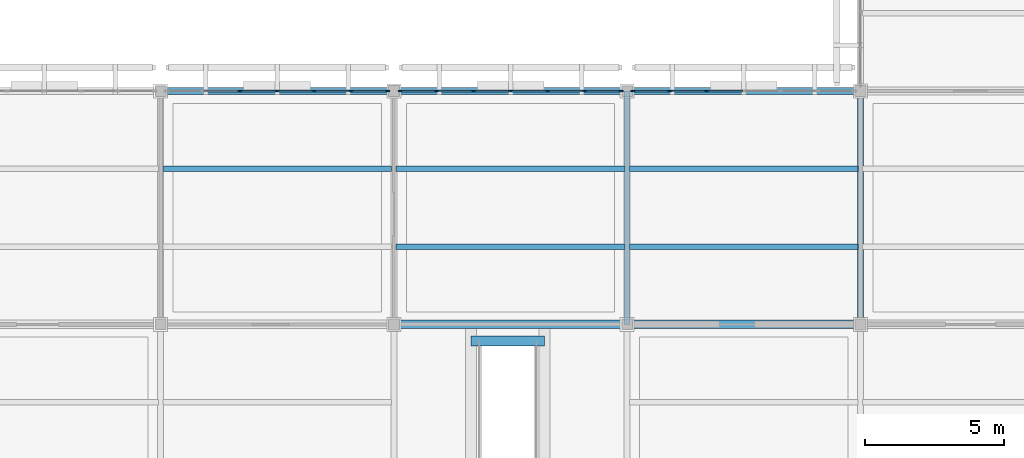
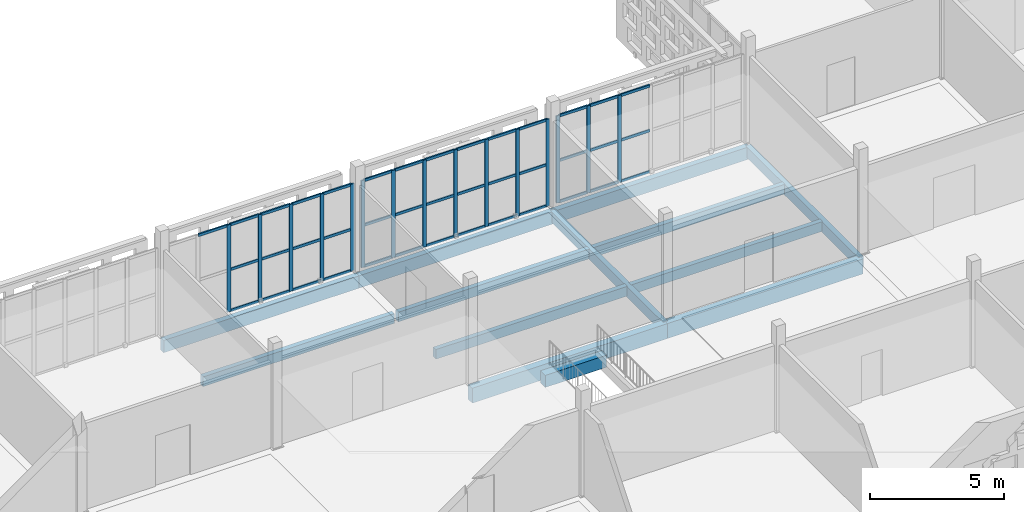
# One storey, part 37 of 203: 55 members, 13 beams, 3 elements without a shape of their own.
"""IFC4 building model written with IfcOpenShell, lengths in metres."""

from ifc_helpers import new_model, si_unit, direction, frame, origin, origin_2d, place, context, subcontext, project, spatial, rectangle, extrude, material, layer, layer_set, material_profile, profile_set, type_object, element, aggregate, save


model = new_model("IFC4")

# Units and contexts
model_context = context("Model", 3, precision=1e-05, world=origin(), true_north=direction((0.0, 1.0)))
body_context = subcontext(model_context, "Body", "Model", "MODEL_VIEW")
ifc_project = project(units=[si_unit("LENGTHUNIT", "METRE"), si_unit("AREAUNIT", "SQUARE_METRE"), si_unit("VOLUMEUNIT", "CUBIC_METRE"), si_unit("PLANEANGLEUNIT", "RADIAN"), si_unit("MASSUNIT", "GRAM", prefix="KILO")], contexts=[model_context])

# Site, building, storey
site_placement = place(None, origin())
site = spatial("IfcSite", under=ifc_project, at=site_placement, CompositionType="ELEMENT")
building_placement = place(site_placement, origin())
building = spatial("IfcBuilding", under=site, at=building_placement, Name="Varnapada Polytechnic", CompositionType="ELEMENT")
storey_placement = place(building_placement, frame((0.0, 0.0, 4.800048828125)))
storey = spatial("IfcBuildingStorey", under=building, at=storey_placement, Name="L01", CompositionType="ELEMENT", Elevation=4.800048828125)

# Beams
ifc_material_1 = material(Name="Concrete C40/50", Category="concrete")
ifc_material_profile_1 = material_profile(ifc_material_1, rectangle(XDim=0.35009765625, YDim=0.550048828125, at=origin_2d()), Name="RC 350x550")
ifc_profile_set_1 = profile_set([ifc_material_profile_1], Name="Concrete C40/50")
beam_type_1 = type_object("IfcBeamType", Name="Concrete podium spandrel beam SP-01 (RC 350x550)", PredefinedType="SPANDREL", material=ifc_profile_set_1)
beam_1_placement = place(storey_placement, frame((111.97998046875, 33.0, -0.53515625), z_axis=(1.0, 0.0, 0.0), x_axis=(0.0, 1.0, 0.0)))
element("IfcBeam", 1, at=beam_1_placement, inside=storey, type_object=beam_type_1, Name="L01 feature stair ST-F6 arrival beam", PredefinedType="SPANDREL", context=body_context, shape_type="SweptSolid", body=[
    extrude(rectangle(XDim=0.35009765625, YDim=0.550048828125, at=origin_2d()), origin(), (0.0, 0.0, 1.0), 2.64013671875),
])
ifc_material_2 = material(Name="Glulam GL32h", Category="wood")
ifc_material_profile_2 = material_profile(ifc_material_2, rectangle(XDim=0.199951171875, YDim=0.43994140625, at=origin_2d()), Name="GL 200x440")
ifc_profile_set_2 = profile_set([ifc_material_profile_2], Name="Glulam GL32h")
beam_type_2 = type_object("IfcBeamType", Name="Heavy laboratory glulam joist GJ-03 (GL 200x440)", PredefinedType="JOIST", material=ifc_profile_set_2)
beam_2_placement = place(storey_placement, frame((100.8798828125, 39.199951171875, -0.469970703125), z_axis=(1.0, 0.0, 0.0), x_axis=(0.0, 1.0, 0.0)))
element("IfcBeam", 2, at=beam_2_placement, inside=storey, type_object=beam_type_2, Name="L01 floor joist 13/5.2", PredefinedType="JOIST", context=body_context, shape_type="SweptSolid", body=[
    extrude(rectangle(XDim=0.199951171875, YDim=0.43994140625, at=origin_2d()), origin(), (0.0, 0.0, 1.0), 8.240234375),
])
for number, where, z_axis, x_axis, name in (
    (3, (109.280029296875, 36.39990234375, -0.469970703125), (1.0, 0.0, 0.0), (0.0, 1.0, 0.0), "L01 floor joist 14/5.1"),
    (4, (109.280029296875, 39.199951171875, -0.469970703125), (1.0, 0.0, 0.0), (0.0, 1.0, 0.0), "L01 floor joist 14/5.2"),
    (5, (117.679931640625, 36.39990234375, -0.469970703125), (1.0, 0.0, 0.0), (0.0, 1.0, 0.0), "L01 floor joist 15/5.1"),
    (6, (117.679931640625, 39.199951171875, -0.469970703125), (1.0, 0.0, 0.0), (0.0, 1.0, 0.0), "L01 floor joist 15/5.2"),
):
    element("IfcBeam", number, at=place(storey_placement, frame(where, z_axis=z_axis, x_axis=x_axis)), inside=storey, type_object=beam_type_2, Name=name, PredefinedType="JOIST", context=body_context, shape_type="SweptSolid", body=[
        extrude(rectangle(XDim=0.199951171875, YDim=0.43994140625, at=origin_2d()), origin(), (0.0, 0.0, 1.0), 8.239990234375),
    ])

# Curtain wall, members
ifc_material_3 = material(Name="Double low-E laminated glass", Category="glass")
ifc_layer = layer(ifc_material_3, 0.159912109375)
ifc_layer_set = layer_set([ifc_layer], Name="Double low-E laminated glass")
curtain_wall_type = type_object("IfcCurtainWallType", Name="Curtain Wall CW-01", PredefinedType="NOTDEFINED", material=ifc_layer_set)
curtain_wall_1_placement = place(storey_placement, origin())
curtain_wall_1 = element("IfcCurtainWall", 7, at=curtain_wall_1_placement, inside=storey, type_object=curtain_wall_type, Name="L01 unitised curtain wall CW-01 (79)", PredefinedType="NOTDEFINED")
ifc_material_4 = material(Name="Anodised aluminium", Category="aluminium")
ifc_material_profile_3 = material_profile(ifc_material_4, rectangle(XDim=0.06005859375, YDim=0.159912109375, at=origin_2d()), Name="ALU M60x160")
ifc_profile_set_3 = profile_set([ifc_material_profile_3], Name="Anodised aluminium")
member_type_1 = type_object("IfcMemberType", Name="Mullion M-01", PredefinedType="MULLION", material=ifc_profile_set_3)
member_1_placement = place(storey_placement, frame((103.659912109375, 42.0, 0.0), z_axis=(0.0, 0.0, 1.0), x_axis=(0.0, 1.0, 0.0)))
member_1 = element("IfcMember", 8, at=member_1_placement, type_object=member_type_1, Name="CW-01 mullion 3", PredefinedType="MULLION", context=body_context, shape_type="SweptSolid", body=[
    extrude(rectangle(XDim=0.06005859375, YDim=0.159912109375, at=origin_2d()), origin(), (0.0, 0.0, 1.0), 3.9599609375),
])
member_2_placement = place(storey_placement, frame((104.9951171875, 42.0, 0.0), z_axis=(0.0, 0.0, 1.0), x_axis=(0.0, 1.0, 0.0)))
member_2 = element("IfcMember", 9, at=member_2_placement, type_object=member_type_1, Name="CW-01 mullion 4", PredefinedType="MULLION", context=body_context, shape_type="SweptSolid", body=[
    extrude(rectangle(XDim=0.06005859375, YDim=0.159912109375, at=origin_2d()), origin(), (0.0, 0.0, 1.0), 3.9599609375),
])
member_3_placement = place(storey_placement, frame((106.330078125, 42.0, 0.0), z_axis=(0.0, 0.0, 1.0), x_axis=(0.0, 1.0, 0.0)))
member_3 = element("IfcMember", 10, at=member_3_placement, type_object=member_type_1, Name="CW-01 mullion 5", PredefinedType="MULLION", context=body_context, shape_type="SweptSolid", body=[
    extrude(rectangle(XDim=0.06005859375, YDim=0.159912109375, at=origin_2d()), origin(), (0.0, 0.0, 1.0), 3.9599609375),
])
member_4_placement = place(storey_placement, frame((107.6650390625, 42.0, 0.0), z_axis=(0.0, 0.0, 1.0), x_axis=(0.0, 1.0, 0.0)))
member_4 = element("IfcMember", 11, at=member_4_placement, type_object=member_type_1, Name="CW-01 mullion 6", PredefinedType="MULLION", context=body_context, shape_type="SweptSolid", body=[
    extrude(rectangle(XDim=0.06005859375, YDim=0.159912109375, at=origin_2d()), origin(), (0.0, 0.0, 1.0), 3.9599609375),
])
member_5_placement = place(storey_placement, frame((108.969970703125, 42.0, 0.0), z_axis=(0.0, 0.0, 1.0), x_axis=(0.0, 1.0, 0.0)))
member_5 = element("IfcMember", 12, at=member_5_placement, type_object=member_type_1, Name="CW-01 mullion 7", PredefinedType="MULLION", context=body_context, shape_type="SweptSolid", body=[
    extrude(rectangle(XDim=0.06005859375, YDim=0.159912109375, at=origin_2d()), origin(), (0.0, 0.0, 1.0), 3.9599609375),
])

curtain_wall_2_placement = place(storey_placement, origin())
curtain_wall_2 = element("IfcCurtainWall", 13, at=curtain_wall_2_placement, inside=storey, type_object=curtain_wall_type, Name="L01 unitised curtain wall CW-01 (84)", PredefinedType="NOTDEFINED")
member_6_placement = place(storey_placement, frame((109.429931640625, 42.0, 0.0), z_axis=(0.0, 0.0, 1.0), x_axis=(0.0, 1.0, 0.0)))
member_6 = element("IfcMember", 14, at=member_6_placement, type_object=member_type_1, Name="CW-01 mullion 1", PredefinedType="MULLION", context=body_context, shape_type="SweptSolid", body=[
    extrude(rectangle(XDim=0.06005859375, YDim=0.159912109375, at=origin_2d()), origin(), (0.0, 0.0, 1.0), 3.9599609375),
])
member_7_placement = place(storey_placement, frame((110.735107421875, 42.0, 0.0), z_axis=(0.0, 0.0, 1.0), x_axis=(0.0, 1.0, 0.0)))
member_7 = element("IfcMember", 15, at=member_7_placement, type_object=member_type_1, Name="CW-01 mullion 2", PredefinedType="MULLION", context=body_context, shape_type="SweptSolid", body=[
    extrude(rectangle(XDim=0.06005859375, YDim=0.159912109375, at=origin_2d()), origin(), (0.0, 0.0, 1.0), 3.9599609375),
])
member_8_placement = place(storey_placement, frame((112.070068359375, 42.0, 0.0), z_axis=(0.0, 0.0, 1.0), x_axis=(0.0, 1.0, 0.0)))
member_8 = element("IfcMember", 16, at=member_8_placement, type_object=member_type_1, Name="CW-01 mullion 3", PredefinedType="MULLION", context=body_context, shape_type="SweptSolid", body=[
    extrude(rectangle(XDim=0.06005859375, YDim=0.159912109375, at=origin_2d()), origin(), (0.0, 0.0, 1.0), 3.9599609375),
])
member_9_placement = place(storey_placement, frame((113.405029296875, 42.0, 0.0), z_axis=(0.0, 0.0, 1.0), x_axis=(0.0, 1.0, 0.0)))
member_9 = element("IfcMember", 17, at=member_9_placement, type_object=member_type_1, Name="CW-01 mullion 4", PredefinedType="MULLION", context=body_context, shape_type="SweptSolid", body=[
    extrude(rectangle(XDim=0.06005859375, YDim=0.159912109375, at=origin_2d()), origin(), (0.0, 0.0, 1.0), 3.9599609375),
])
member_10_placement = place(storey_placement, frame((114.739990234375, 42.0, 0.0), z_axis=(0.0, 0.0, 1.0), x_axis=(0.0, 1.0, 0.0)))
member_10 = element("IfcMember", 18, at=member_10_placement, type_object=member_type_1, Name="CW-01 mullion 5", PredefinedType="MULLION", context=body_context, shape_type="SweptSolid", body=[
    extrude(rectangle(XDim=0.06005859375, YDim=0.159912109375, at=origin_2d()), origin(), (0.0, 0.0, 1.0), 3.9599609375),
])
member_11_placement = place(storey_placement, frame((116.074951171875, 42.0, 0.0), z_axis=(0.0, 0.0, 1.0), x_axis=(0.0, 1.0, 0.0)))
member_11 = element("IfcMember", 19, at=member_11_placement, type_object=member_type_1, Name="CW-01 mullion 6", PredefinedType="MULLION", context=body_context, shape_type="SweptSolid", body=[
    extrude(rectangle(XDim=0.06005859375, YDim=0.159912109375, at=origin_2d()), origin(), (0.0, 0.0, 1.0), 3.9599609375),
])
member_12_placement = place(storey_placement, frame((117.3798828125, 42.0, 0.0), z_axis=(0.0, 0.0, 1.0), x_axis=(0.0, 1.0, 0.0)))
member_12 = element("IfcMember", 20, at=member_12_placement, type_object=member_type_1, Name="CW-01 mullion 7", PredefinedType="MULLION", context=body_context, shape_type="SweptSolid", body=[
    extrude(rectangle(XDim=0.06005859375, YDim=0.159912109375, at=origin_2d()), origin(), (0.0, 0.0, 1.0), 3.9599609375),
])

curtain_wall_3_placement = place(storey_placement, origin())
curtain_wall_3 = element("IfcCurtainWall", 21, at=curtain_wall_3_placement, inside=storey, type_object=curtain_wall_type, Name="L01 unitised curtain wall CW-01 (89)", PredefinedType="NOTDEFINED")
member_13_placement = place(storey_placement, frame((117.820068359375, 42.0, 0.0), z_axis=(0.0, 0.0, 1.0), x_axis=(0.0, 1.0, 0.0)))
member_13 = element("IfcMember", 22, at=member_13_placement, type_object=member_type_1, Name="CW-01 mullion 1", PredefinedType="MULLION", context=body_context, shape_type="SweptSolid", body=[
    extrude(rectangle(XDim=0.06005859375, YDim=0.159912109375, at=origin_2d()), origin(), (0.0, 0.0, 1.0), 3.9599609375),
])
member_14_placement = place(storey_placement, frame((119.125, 42.0, 0.0), z_axis=(0.0, 0.0, 1.0), x_axis=(0.0, 1.0, 0.0)))
member_14 = element("IfcMember", 23, at=member_14_placement, type_object=member_type_1, Name="CW-01 mullion 2", PredefinedType="MULLION", context=body_context, shape_type="SweptSolid", body=[
    extrude(rectangle(XDim=0.06005859375, YDim=0.159912109375, at=origin_2d()), origin(), (0.0, 0.0, 1.0), 3.9599609375),
])
member_15_placement = place(storey_placement, frame((120.4599609375, 42.0, 0.0), z_axis=(0.0, 0.0, 1.0), x_axis=(0.0, 1.0, 0.0)))
member_15 = element("IfcMember", 24, at=member_15_placement, type_object=member_type_1, Name="CW-01 mullion 3", PredefinedType="MULLION", context=body_context, shape_type="SweptSolid", body=[
    extrude(rectangle(XDim=0.06005859375, YDim=0.159912109375, at=origin_2d()), origin(), (0.0, 0.0, 1.0), 3.9599609375),
])

# Beams
ifc_material_profile_4 = material_profile(ifc_material_2, rectangle(XDim=0.239990234375, YDim=0.56005859375, at=origin_2d()), Name="GL 240x560")
ifc_profile_set_4 = profile_set([ifc_material_profile_4], Name="Glulam GL32h")
beam_type_3 = type_object("IfcBeamType", Name="Perimeter glulam spandrel beam SP-02 (GL 240x560)", PredefinedType="SPANDREL", material=ifc_profile_set_4)
beam_3_placement = place(storey_placement, frame((100.800048828125, 42.0, -0.530029296875), z_axis=(1.0, 0.0, 0.0), x_axis=(0.0, 1.0, 0.0)))
element("IfcBeam", 25, at=beam_3_placement, inside=storey, type_object=beam_type_3, Name="L01 beam X 13-14 at Y6", PredefinedType="SPANDREL", context=body_context, shape_type="SweptSolid", body=[
    extrude(rectangle(XDim=0.239990234375, YDim=0.56005859375, at=origin_2d()), origin(), (0.0, 0.0, 1.0), 8.39990234375),
])
beam_4_placement = place(storey_placement, frame((109.199951171875, 42.0, -0.530029296875), z_axis=(1.0, 0.0, 0.0), x_axis=(0.0, 1.0, 0.0)))
element("IfcBeam", 26, at=beam_4_placement, inside=storey, type_object=beam_type_3, Name="L01 beam X 14-15 at Y6", PredefinedType="SPANDREL", context=body_context, shape_type="SweptSolid", body=[
    extrude(rectangle(XDim=0.239990234375, YDim=0.56005859375, at=origin_2d()), origin(), (0.0, 0.0, 1.0), 8.400146484375),
])
beam_5_placement = place(storey_placement, frame((117.60009765625, 42.0, -0.530029296875), z_axis=(1.0, 0.0, 0.0), x_axis=(0.0, 1.0, 0.0)))
element("IfcBeam", 27, at=beam_5_placement, inside=storey, type_object=beam_type_3, Name="L01 beam X 15-16 at Y6", PredefinedType="SPANDREL", context=body_context, shape_type="SweptSolid", body=[
    extrude(rectangle(XDim=0.239990234375, YDim=0.56005859375, at=origin_2d()), origin(), (0.0, 0.0, 1.0), 8.39990234375),
])

# Member
ifc_material_profile_5 = material_profile(ifc_material_4, rectangle(XDim=0.06005859375, YDim=0.1201171875, at=origin_2d()), Name="ALU T60x120")
ifc_profile_set_5 = profile_set([ifc_material_profile_5], Name="Anodised aluminium")
member_type_2 = type_object("IfcMemberType", Name="Transom T-01", PredefinedType="USERDEFINED", material=ifc_profile_set_5)
member_16_placement = place(storey_placement, frame((102.35498046875, 42.0, 3.929931640625), z_axis=(1.0, 0.0, 0.0), x_axis=(0.0, 1.0, 0.0)))
member_16 = element("IfcMember", 28, at=member_16_placement, type_object=member_type_2, Name="CW-01 transom 2.3", ObjectType="TRANSOM", PredefinedType="USERDEFINED", context=body_context, shape_type="SweptSolid", body=[
    extrude(rectangle(XDim=0.06005859375, YDim=0.1201171875, at=origin_2d()), origin(), (0.0, 0.0, 1.0), 1.27490234375),
])

member_17_placement = place(storey_placement, frame((103.68994140625, 42.0, 0.030029296875), z_axis=(1.0, 0.0, 0.0), x_axis=(0.0, 1.0, 0.0)))
member_17 = element("IfcMember", 29, at=member_17_placement, type_object=member_type_2, Name="CW-01 transom 3.1", ObjectType="TRANSOM", PredefinedType="USERDEFINED", context=body_context, shape_type="SweptSolid", body=[
    extrude(rectangle(XDim=0.06005859375, YDim=0.1201171875, at=origin_2d()), origin(), (0.0, 0.0, 1.0), 1.275146484375),
])

member_18_placement = place(storey_placement, frame((103.68994140625, 42.0, 1.900634765625), z_axis=(1.0, 0.0, 0.0), x_axis=(0.0, 1.0, 0.0)))
member_18 = element("IfcMember", 30, at=member_18_placement, type_object=member_type_2, Name="CW-01 transom 3.2", ObjectType="TRANSOM", PredefinedType="USERDEFINED", context=body_context, shape_type="SweptSolid", body=[
    extrude(rectangle(XDim=0.06005859375, YDim=0.1201171875, at=origin_2d()), origin(), (0.0, 0.0, 1.0), 1.275146484375),
])

member_19_placement = place(storey_placement, frame((103.68994140625, 42.0, 3.929931640625), z_axis=(1.0, 0.0, 0.0), x_axis=(0.0, 1.0, 0.0)))
member_19 = element("IfcMember", 31, at=member_19_placement, type_object=member_type_2, Name="CW-01 transom 3.3", ObjectType="TRANSOM", PredefinedType="USERDEFINED", context=body_context, shape_type="SweptSolid", body=[
    extrude(rectangle(XDim=0.06005859375, YDim=0.1201171875, at=origin_2d()), origin(), (0.0, 0.0, 1.0), 1.275146484375),
])

member_20_placement = place(storey_placement, frame((105.02490234375, 42.0, 0.030029296875), z_axis=(1.0, 0.0, 0.0), x_axis=(0.0, 1.0, 0.0)))
member_20 = element("IfcMember", 32, at=member_20_placement, type_object=member_type_2, Name="CW-01 transom 4.1", ObjectType="TRANSOM", PredefinedType="USERDEFINED", context=body_context, shape_type="SweptSolid", body=[
    extrude(rectangle(XDim=0.06005859375, YDim=0.1201171875, at=origin_2d()), origin(), (0.0, 0.0, 1.0), 1.275146484375),
])

member_21_placement = place(storey_placement, frame((105.02490234375, 42.0, 1.900634765625), z_axis=(1.0, 0.0, 0.0), x_axis=(0.0, 1.0, 0.0)))
member_21 = element("IfcMember", 33, at=member_21_placement, type_object=member_type_2, Name="CW-01 transom 4.2", ObjectType="TRANSOM", PredefinedType="USERDEFINED", context=body_context, shape_type="SweptSolid", body=[
    extrude(rectangle(XDim=0.06005859375, YDim=0.1201171875, at=origin_2d()), origin(), (0.0, 0.0, 1.0), 1.275146484375),
])

member_22_placement = place(storey_placement, frame((105.02490234375, 42.0, 3.929931640625), z_axis=(1.0, 0.0, 0.0), x_axis=(0.0, 1.0, 0.0)))
member_22 = element("IfcMember", 34, at=member_22_placement, type_object=member_type_2, Name="CW-01 transom 4.3", ObjectType="TRANSOM", PredefinedType="USERDEFINED", context=body_context, shape_type="SweptSolid", body=[
    extrude(rectangle(XDim=0.06005859375, YDim=0.1201171875, at=origin_2d()), origin(), (0.0, 0.0, 1.0), 1.275146484375),
])

member_23_placement = place(storey_placement, frame((106.360107421875, 42.0, 0.030029296875), z_axis=(1.0, 0.0, 0.0), x_axis=(0.0, 1.0, 0.0)))
member_23 = element("IfcMember", 35, at=member_23_placement, type_object=member_type_2, Name="CW-01 transom 5.1", ObjectType="TRANSOM", PredefinedType="USERDEFINED", context=body_context, shape_type="SweptSolid", body=[
    extrude(rectangle(XDim=0.06005859375, YDim=0.1201171875, at=origin_2d()), origin(), (0.0, 0.0, 1.0), 1.27490234375),
])

member_24_placement = place(storey_placement, frame((106.360107421875, 42.0, 1.900634765625), z_axis=(1.0, 0.0, 0.0), x_axis=(0.0, 1.0, 0.0)))
member_24 = element("IfcMember", 36, at=member_24_placement, type_object=member_type_2, Name="CW-01 transom 5.2", ObjectType="TRANSOM", PredefinedType="USERDEFINED", context=body_context, shape_type="SweptSolid", body=[
    extrude(rectangle(XDim=0.06005859375, YDim=0.1201171875, at=origin_2d()), origin(), (0.0, 0.0, 1.0), 1.27490234375),
])

member_25_placement = place(storey_placement, frame((106.360107421875, 42.0, 3.929931640625), z_axis=(1.0, 0.0, 0.0), x_axis=(0.0, 1.0, 0.0)))
member_25 = element("IfcMember", 37, at=member_25_placement, type_object=member_type_2, Name="CW-01 transom 5.3", ObjectType="TRANSOM", PredefinedType="USERDEFINED", context=body_context, shape_type="SweptSolid", body=[
    extrude(rectangle(XDim=0.06005859375, YDim=0.1201171875, at=origin_2d()), origin(), (0.0, 0.0, 1.0), 1.27490234375),
])

member_26_placement = place(storey_placement, frame((107.695068359375, 42.0, 0.030029296875), z_axis=(1.0, 0.0, 0.0), x_axis=(0.0, 1.0, 0.0)))
member_26 = element("IfcMember", 38, at=member_26_placement, type_object=member_type_2, Name="CW-01 transom 6.1", ObjectType="TRANSOM", PredefinedType="USERDEFINED", context=body_context, shape_type="SweptSolid", body=[
    extrude(rectangle(XDim=0.06005859375, YDim=0.1201171875, at=origin_2d()), origin(), (0.0, 0.0, 1.0), 1.244873046875),
])

member_27_placement = place(storey_placement, frame((107.695068359375, 42.0, 1.900634765625), z_axis=(1.0, 0.0, 0.0), x_axis=(0.0, 1.0, 0.0)))
member_27 = element("IfcMember", 39, at=member_27_placement, type_object=member_type_2, Name="CW-01 transom 6.2", ObjectType="TRANSOM", PredefinedType="USERDEFINED", context=body_context, shape_type="SweptSolid", body=[
    extrude(rectangle(XDim=0.06005859375, YDim=0.1201171875, at=origin_2d()), origin(), (0.0, 0.0, 1.0), 1.244873046875),
])

member_28_placement = place(storey_placement, frame((107.695068359375, 42.0, 3.929931640625), z_axis=(1.0, 0.0, 0.0), x_axis=(0.0, 1.0, 0.0)))
member_28 = element("IfcMember", 40, at=member_28_placement, type_object=member_type_2, Name="CW-01 transom 6.3", ObjectType="TRANSOM", PredefinedType="USERDEFINED", context=body_context, shape_type="SweptSolid", body=[
    extrude(rectangle(XDim=0.06005859375, YDim=0.1201171875, at=origin_2d()), origin(), (0.0, 0.0, 1.0), 1.244873046875),
])

aggregate(curtain_wall_1, [member_1, member_2, member_3, member_4, member_5, member_16, member_17, member_18, member_19, member_20, member_21, member_22, member_23, member_24, member_25, member_26, member_27, member_28])

member_29_placement = place(storey_placement, frame((109.4599609375, 42.0, 0.030029296875), z_axis=(1.0, 0.0, 0.0), x_axis=(0.0, 1.0, 0.0)))
member_29 = element("IfcMember", 41, at=member_29_placement, type_object=member_type_2, Name="CW-01 transom 1.1", ObjectType="TRANSOM", PredefinedType="USERDEFINED", context=body_context, shape_type="SweptSolid", body=[
    extrude(rectangle(XDim=0.06005859375, YDim=0.1201171875, at=origin_2d()), origin(), (0.0, 0.0, 1.0), 1.2451171875),
])

member_30_placement = place(storey_placement, frame((109.4599609375, 42.0, 1.900634765625), z_axis=(1.0, 0.0, 0.0), x_axis=(0.0, 1.0, 0.0)))
member_30 = element("IfcMember", 42, at=member_30_placement, type_object=member_type_2, Name="CW-01 transom 1.2", ObjectType="TRANSOM", PredefinedType="USERDEFINED", context=body_context, shape_type="SweptSolid", body=[
    extrude(rectangle(XDim=0.06005859375, YDim=0.1201171875, at=origin_2d()), origin(), (0.0, 0.0, 1.0), 1.2451171875),
])

member_31_placement = place(storey_placement, frame((109.4599609375, 42.0, 3.929931640625), z_axis=(1.0, 0.0, 0.0), x_axis=(0.0, 1.0, 0.0)))
member_31 = element("IfcMember", 43, at=member_31_placement, type_object=member_type_2, Name="CW-01 transom 1.3", ObjectType="TRANSOM", PredefinedType="USERDEFINED", context=body_context, shape_type="SweptSolid", body=[
    extrude(rectangle(XDim=0.06005859375, YDim=0.1201171875, at=origin_2d()), origin(), (0.0, 0.0, 1.0), 1.2451171875),
])

member_32_placement = place(storey_placement, frame((110.764892578125, 42.0, 0.030029296875), z_axis=(1.0, 0.0, 0.0), x_axis=(0.0, 1.0, 0.0)))
member_32 = element("IfcMember", 44, at=member_32_placement, type_object=member_type_2, Name="CW-01 transom 2.1", ObjectType="TRANSOM", PredefinedType="USERDEFINED", context=body_context, shape_type="SweptSolid", body=[
    extrude(rectangle(XDim=0.06005859375, YDim=0.1201171875, at=origin_2d()), origin(), (0.0, 0.0, 1.0), 1.275146484375),
])

member_33_placement = place(storey_placement, frame((110.764892578125, 42.0, 1.900634765625), z_axis=(1.0, 0.0, 0.0), x_axis=(0.0, 1.0, 0.0)))
member_33 = element("IfcMember", 45, at=member_33_placement, type_object=member_type_2, Name="CW-01 transom 2.2", ObjectType="TRANSOM", PredefinedType="USERDEFINED", context=body_context, shape_type="SweptSolid", body=[
    extrude(rectangle(XDim=0.06005859375, YDim=0.1201171875, at=origin_2d()), origin(), (0.0, 0.0, 1.0), 1.275146484375),
])

member_34_placement = place(storey_placement, frame((110.764892578125, 42.0, 3.929931640625), z_axis=(1.0, 0.0, 0.0), x_axis=(0.0, 1.0, 0.0)))
member_34 = element("IfcMember", 46, at=member_34_placement, type_object=member_type_2, Name="CW-01 transom 2.3", ObjectType="TRANSOM", PredefinedType="USERDEFINED", context=body_context, shape_type="SweptSolid", body=[
    extrude(rectangle(XDim=0.06005859375, YDim=0.1201171875, at=origin_2d()), origin(), (0.0, 0.0, 1.0), 1.275146484375),
])

member_35_placement = place(storey_placement, frame((112.10009765625, 42.0, 0.030029296875), z_axis=(1.0, 0.0, 0.0), x_axis=(0.0, 1.0, 0.0)))
member_35 = element("IfcMember", 47, at=member_35_placement, type_object=member_type_2, Name="CW-01 transom 3.1", ObjectType="TRANSOM", PredefinedType="USERDEFINED", context=body_context, shape_type="SweptSolid", body=[
    extrude(rectangle(XDim=0.06005859375, YDim=0.1201171875, at=origin_2d()), origin(), (0.0, 0.0, 1.0), 1.27490234375),
])

member_36_placement = place(storey_placement, frame((112.10009765625, 42.0, 1.900634765625), z_axis=(1.0, 0.0, 0.0), x_axis=(0.0, 1.0, 0.0)))
member_36 = element("IfcMember", 48, at=member_36_placement, type_object=member_type_2, Name="CW-01 transom 3.2", ObjectType="TRANSOM", PredefinedType="USERDEFINED", context=body_context, shape_type="SweptSolid", body=[
    extrude(rectangle(XDim=0.06005859375, YDim=0.1201171875, at=origin_2d()), origin(), (0.0, 0.0, 1.0), 1.27490234375),
])

member_37_placement = place(storey_placement, frame((112.10009765625, 42.0, 3.929931640625), z_axis=(1.0, 0.0, 0.0), x_axis=(0.0, 1.0, 0.0)))
member_37 = element("IfcMember", 49, at=member_37_placement, type_object=member_type_2, Name="CW-01 transom 3.3", ObjectType="TRANSOM", PredefinedType="USERDEFINED", context=body_context, shape_type="SweptSolid", body=[
    extrude(rectangle(XDim=0.06005859375, YDim=0.1201171875, at=origin_2d()), origin(), (0.0, 0.0, 1.0), 1.27490234375),
])

member_38_placement = place(storey_placement, frame((113.43505859375, 42.0, 0.030029296875), z_axis=(1.0, 0.0, 0.0), x_axis=(0.0, 1.0, 0.0)))
member_38 = element("IfcMember", 50, at=member_38_placement, type_object=member_type_2, Name="CW-01 transom 4.1", ObjectType="TRANSOM", PredefinedType="USERDEFINED", context=body_context, shape_type="SweptSolid", body=[
    extrude(rectangle(XDim=0.06005859375, YDim=0.1201171875, at=origin_2d()), origin(), (0.0, 0.0, 1.0), 1.27490234375),
])

member_39_placement = place(storey_placement, frame((113.43505859375, 42.0, 1.900634765625), z_axis=(1.0, 0.0, 0.0), x_axis=(0.0, 1.0, 0.0)))
member_39 = element("IfcMember", 51, at=member_39_placement, type_object=member_type_2, Name="CW-01 transom 4.2", ObjectType="TRANSOM", PredefinedType="USERDEFINED", context=body_context, shape_type="SweptSolid", body=[
    extrude(rectangle(XDim=0.06005859375, YDim=0.1201171875, at=origin_2d()), origin(), (0.0, 0.0, 1.0), 1.27490234375),
])

member_40_placement = place(storey_placement, frame((113.43505859375, 42.0, 3.929931640625), z_axis=(1.0, 0.0, 0.0), x_axis=(0.0, 1.0, 0.0)))
member_40 = element("IfcMember", 52, at=member_40_placement, type_object=member_type_2, Name="CW-01 transom 4.3", ObjectType="TRANSOM", PredefinedType="USERDEFINED", context=body_context, shape_type="SweptSolid", body=[
    extrude(rectangle(XDim=0.06005859375, YDim=0.1201171875, at=origin_2d()), origin(), (0.0, 0.0, 1.0), 1.27490234375),
])

member_41_placement = place(storey_placement, frame((114.77001953125, 42.0, 0.030029296875), z_axis=(1.0, 0.0, 0.0), x_axis=(0.0, 1.0, 0.0)))
member_41 = element("IfcMember", 53, at=member_41_placement, type_object=member_type_2, Name="CW-01 transom 5.1", ObjectType="TRANSOM", PredefinedType="USERDEFINED", context=body_context, shape_type="SweptSolid", body=[
    extrude(rectangle(XDim=0.06005859375, YDim=0.1201171875, at=origin_2d()), origin(), (0.0, 0.0, 1.0), 1.27490234375),
])

member_42_placement = place(storey_placement, frame((114.77001953125, 42.0, 1.900634765625), z_axis=(1.0, 0.0, 0.0), x_axis=(0.0, 1.0, 0.0)))
member_42 = element("IfcMember", 54, at=member_42_placement, type_object=member_type_2, Name="CW-01 transom 5.2", ObjectType="TRANSOM", PredefinedType="USERDEFINED", context=body_context, shape_type="SweptSolid", body=[
    extrude(rectangle(XDim=0.06005859375, YDim=0.1201171875, at=origin_2d()), origin(), (0.0, 0.0, 1.0), 1.27490234375),
])

member_43_placement = place(storey_placement, frame((114.77001953125, 42.0, 3.929931640625), z_axis=(1.0, 0.0, 0.0), x_axis=(0.0, 1.0, 0.0)))
member_43 = element("IfcMember", 55, at=member_43_placement, type_object=member_type_2, Name="CW-01 transom 5.3", ObjectType="TRANSOM", PredefinedType="USERDEFINED", context=body_context, shape_type="SweptSolid", body=[
    extrude(rectangle(XDim=0.06005859375, YDim=0.1201171875, at=origin_2d()), origin(), (0.0, 0.0, 1.0), 1.27490234375),
])

member_44_placement = place(storey_placement, frame((116.10498046875, 42.0, 0.030029296875), z_axis=(1.0, 0.0, 0.0), x_axis=(0.0, 1.0, 0.0)))
member_44 = element("IfcMember", 56, at=member_44_placement, type_object=member_type_2, Name="CW-01 transom 6.1", ObjectType="TRANSOM", PredefinedType="USERDEFINED", context=body_context, shape_type="SweptSolid", body=[
    extrude(rectangle(XDim=0.06005859375, YDim=0.1201171875, at=origin_2d()), origin(), (0.0, 0.0, 1.0), 1.2451171875),
])

member_45_placement = place(storey_placement, frame((116.10498046875, 42.0, 1.900634765625), z_axis=(1.0, 0.0, 0.0), x_axis=(0.0, 1.0, 0.0)))
member_45 = element("IfcMember", 57, at=member_45_placement, type_object=member_type_2, Name="CW-01 transom 6.2", ObjectType="TRANSOM", PredefinedType="USERDEFINED", context=body_context, shape_type="SweptSolid", body=[
    extrude(rectangle(XDim=0.06005859375, YDim=0.1201171875, at=origin_2d()), origin(), (0.0, 0.0, 1.0), 1.2451171875),
])

member_46_placement = place(storey_placement, frame((116.10498046875, 42.0, 3.929931640625), z_axis=(1.0, 0.0, 0.0), x_axis=(0.0, 1.0, 0.0)))
member_46 = element("IfcMember", 58, at=member_46_placement, type_object=member_type_2, Name="CW-01 transom 6.3", ObjectType="TRANSOM", PredefinedType="USERDEFINED", context=body_context, shape_type="SweptSolid", body=[
    extrude(rectangle(XDim=0.06005859375, YDim=0.1201171875, at=origin_2d()), origin(), (0.0, 0.0, 1.0), 1.2451171875),
])

aggregate(curtain_wall_2, [member_6, member_7, member_8, member_9, member_10, member_11, member_12, member_29, member_30, member_31, member_32, member_33, member_34, member_35, member_36, member_37, member_38, member_39, member_40, member_41, member_42, member_43, member_44, member_45, member_46])

member_47_placement = place(storey_placement, frame((117.85009765625, 42.0, 0.030029296875), z_axis=(1.0, 0.0, 0.0), x_axis=(0.0, 1.0, 0.0)))
member_47 = element("IfcMember", 59, at=member_47_placement, type_object=member_type_2, Name="CW-01 transom 1.1", ObjectType="TRANSOM", PredefinedType="USERDEFINED", context=body_context, shape_type="SweptSolid", body=[
    extrude(rectangle(XDim=0.06005859375, YDim=0.1201171875, at=origin_2d()), origin(), (0.0, 0.0, 1.0), 1.244873046875),
])

member_48_placement = place(storey_placement, frame((117.85009765625, 42.0, 1.900634765625), z_axis=(1.0, 0.0, 0.0), x_axis=(0.0, 1.0, 0.0)))
member_48 = element("IfcMember", 60, at=member_48_placement, type_object=member_type_2, Name="CW-01 transom 1.2", ObjectType="TRANSOM", PredefinedType="USERDEFINED", context=body_context, shape_type="SweptSolid", body=[
    extrude(rectangle(XDim=0.06005859375, YDim=0.1201171875, at=origin_2d()), origin(), (0.0, 0.0, 1.0), 1.244873046875),
])

member_49_placement = place(storey_placement, frame((117.85009765625, 42.0, 3.929931640625), z_axis=(1.0, 0.0, 0.0), x_axis=(0.0, 1.0, 0.0)))
member_49 = element("IfcMember", 61, at=member_49_placement, type_object=member_type_2, Name="CW-01 transom 1.3", ObjectType="TRANSOM", PredefinedType="USERDEFINED", context=body_context, shape_type="SweptSolid", body=[
    extrude(rectangle(XDim=0.06005859375, YDim=0.1201171875, at=origin_2d()), origin(), (0.0, 0.0, 1.0), 1.244873046875),
])

member_50_placement = place(storey_placement, frame((119.155029296875, 42.0, 0.030029296875), z_axis=(1.0, 0.0, 0.0), x_axis=(0.0, 1.0, 0.0)))
member_50 = element("IfcMember", 62, at=member_50_placement, type_object=member_type_2, Name="CW-01 transom 2.1", ObjectType="TRANSOM", PredefinedType="USERDEFINED", context=body_context, shape_type="SweptSolid", body=[
    extrude(rectangle(XDim=0.06005859375, YDim=0.1201171875, at=origin_2d()), origin(), (0.0, 0.0, 1.0), 1.27490234375),
])

member_51_placement = place(storey_placement, frame((119.155029296875, 42.0, 1.900634765625), z_axis=(1.0, 0.0, 0.0), x_axis=(0.0, 1.0, 0.0)))
member_51 = element("IfcMember", 63, at=member_51_placement, type_object=member_type_2, Name="CW-01 transom 2.2", ObjectType="TRANSOM", PredefinedType="USERDEFINED", context=body_context, shape_type="SweptSolid", body=[
    extrude(rectangle(XDim=0.06005859375, YDim=0.1201171875, at=origin_2d()), origin(), (0.0, 0.0, 1.0), 1.27490234375),
])

member_52_placement = place(storey_placement, frame((119.155029296875, 42.0, 3.929931640625), z_axis=(1.0, 0.0, 0.0), x_axis=(0.0, 1.0, 0.0)))
member_52 = element("IfcMember", 64, at=member_52_placement, type_object=member_type_2, Name="CW-01 transom 2.3", ObjectType="TRANSOM", PredefinedType="USERDEFINED", context=body_context, shape_type="SweptSolid", body=[
    extrude(rectangle(XDim=0.06005859375, YDim=0.1201171875, at=origin_2d()), origin(), (0.0, 0.0, 1.0), 1.27490234375),
])

member_53_placement = place(storey_placement, frame((120.489990234375, 42.0, 0.030029296875), z_axis=(1.0, 0.0, 0.0), x_axis=(0.0, 1.0, 0.0)))
member_53 = element("IfcMember", 65, at=member_53_placement, type_object=member_type_2, Name="CW-01 transom 3.1", ObjectType="TRANSOM", PredefinedType="USERDEFINED", context=body_context, shape_type="SweptSolid", body=[
    extrude(rectangle(XDim=0.06005859375, YDim=0.1201171875, at=origin_2d()), origin(), (0.0, 0.0, 1.0), 1.27490234375),
])

member_54_placement = place(storey_placement, frame((120.489990234375, 42.0, 1.900634765625), z_axis=(1.0, 0.0, 0.0), x_axis=(0.0, 1.0, 0.0)))
member_54 = element("IfcMember", 66, at=member_54_placement, type_object=member_type_2, Name="CW-01 transom 3.2", ObjectType="TRANSOM", PredefinedType="USERDEFINED", context=body_context, shape_type="SweptSolid", body=[
    extrude(rectangle(XDim=0.06005859375, YDim=0.1201171875, at=origin_2d()), origin(), (0.0, 0.0, 1.0), 1.27490234375),
])

member_55_placement = place(storey_placement, frame((120.489990234375, 42.0, 3.929931640625), z_axis=(1.0, 0.0, 0.0), x_axis=(0.0, 1.0, 0.0)))
member_55 = element("IfcMember", 67, at=member_55_placement, type_object=member_type_2, Name="CW-01 transom 3.3", ObjectType="TRANSOM", PredefinedType="USERDEFINED", context=body_context, shape_type="SweptSolid", body=[
    extrude(rectangle(XDim=0.06005859375, YDim=0.1201171875, at=origin_2d()), origin(), (0.0, 0.0, 1.0), 1.27490234375),
])

aggregate(curtain_wall_3, [member_13, member_14, member_15, member_47, member_48, member_49, member_50, member_51, member_52, member_53, member_54, member_55])

# Beams
ifc_material_profile_6 = material_profile(ifc_material_2, rectangle(XDim=0.219970703125, YDim=0.47998046875, at=origin_2d()), Name="GL 220x480")
ifc_profile_set_6 = profile_set([ifc_material_profile_6], Name="Glulam GL32h")
beam_type_4 = type_object("IfcBeamType", Name="Upper floor glulam tie beam GB-11 (GL 220x480)", PredefinedType="BEAM", material=ifc_profile_set_6)
for number, where, z_axis, x_axis, name in (
    (68, (117.60009765625, 33.60009765625, -0.489990234375), (0.0, 1.0, 0.0), (-1.0, 0.0, 0.0), "L01 beam Y 5-6 at X15"),
    (69, (126.0, 33.60009765625, -0.489990234375), (0.0, 1.0, 0.0), (-1.0, 0.0, 0.0), "L01 beam Y 5-6 at X16"),
):
    element("IfcBeam", number, at=place(storey_placement, frame(where, z_axis=z_axis, x_axis=x_axis)), inside=storey, type_object=beam_type_4, Name=name, PredefinedType="BEAM", context=body_context, shape_type="SweptSolid", body=[
        extrude(rectangle(XDim=0.219970703125, YDim=0.47998046875, at=origin_2d()), origin(), (0.0, 0.0, 1.0), 8.39990234375),
    ])
ifc_material_profile_7 = material_profile(ifc_material_2, rectangle(XDim=0.300048828125, YDim=0.679931640625, at=origin_2d()), Name="GL 300x680")
ifc_profile_set_7 = profile_set([ifc_material_profile_7], Name="Glulam GL32h")
beam_type_5 = type_object("IfcBeamType", Name="Wet laboratory glulam girder GG-04 (GL 300x680)", PredefinedType="BEAM", material=ifc_profile_set_7)
beam_6_placement = place(storey_placement, frame((109.199951171875, 33.60009765625, -0.590087890625), z_axis=(1.0, 0.0, 0.0), x_axis=(0.0, 1.0, 0.0)))
element("IfcBeam", 70, at=beam_6_placement, inside=storey, type_object=beam_type_5, Name="L01 beam X 14-15 at Y5", PredefinedType="BEAM", context=body_context, shape_type="SweptSolid", body=[
    extrude(rectangle(XDim=0.300048828125, YDim=0.679931640625, at=origin_2d()), origin(), (0.0, 0.0, 1.0), 8.400146484375),
])
beam_7_placement = place(storey_placement, frame((117.60009765625, 33.60009765625, -0.590087890625), z_axis=(1.0, 0.0, 0.0), x_axis=(0.0, 1.0, 0.0)))
element("IfcBeam", 71, at=beam_7_placement, inside=storey, type_object=beam_type_5, Name="L01 beam X 15-16 at Y5", PredefinedType="BEAM", context=body_context, shape_type="SweptSolid", body=[
    extrude(rectangle(XDim=0.300048828125, YDim=0.679931640625, at=origin_2d()), origin(), (0.0, 0.0, 1.0), 8.39990234375),
])

save(model, "model.ifc")
